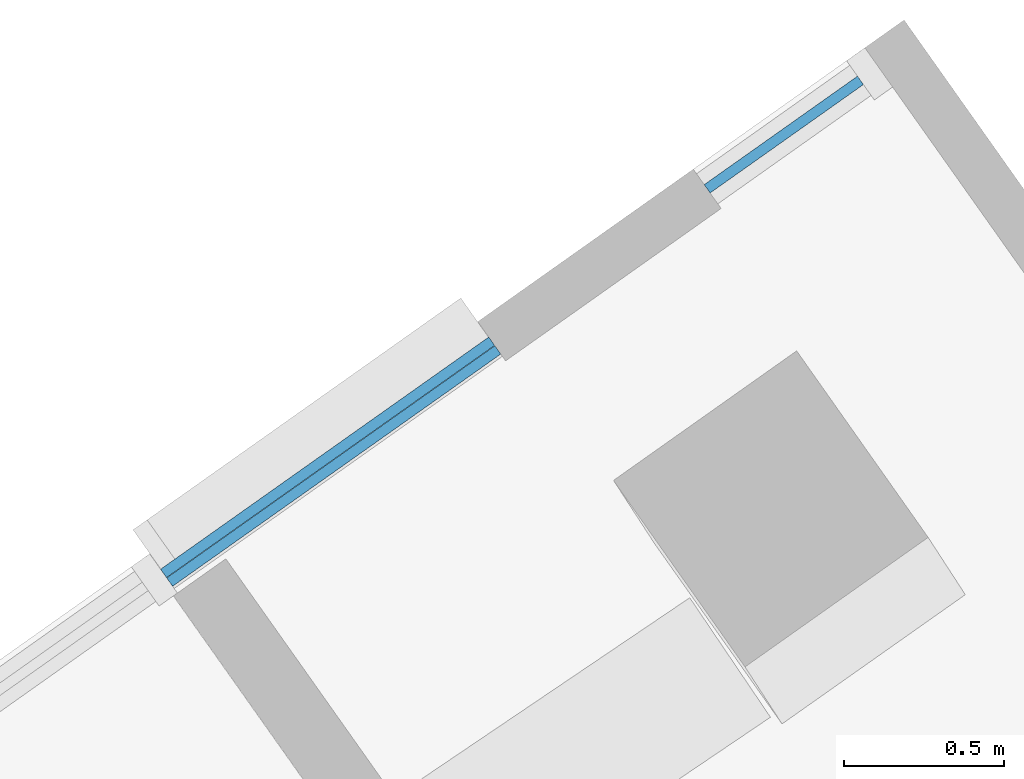
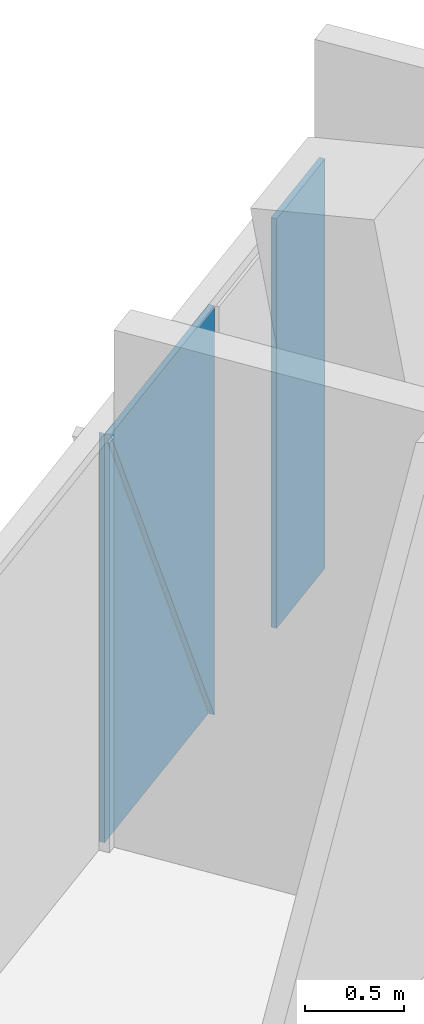
# One storey, part 16 of 25: 3 plates, 1 element without a shape of its own.
"""IFC4 building model written with IfcOpenShell, lengths in metres."""

import ifcopenshell
import ifcopenshell.guid

model = None  # the IFC model being written
_history = None  # IfcOwnerHistory: only IFC2X3 demands one
_inside = {}  # id of a spatial element -> (the spatial element, [elements in it])
_under = {}  # id of a project, library or spatial element -> (it, [spatial elements below it])
_declared = {}  # id of a project -> (the project, [libraries it declares])
_typed = {}  # id of a type object -> (the type object, [elements of that type])
_made_of = {}  # id of a material, layer set ... -> (it, [elements and type objects made of it])


def new_model(schema):
    """Start an empty IFC model of exactly this schema.

    Asked for "IFC4X3", IfcOpenShell would pick the latest addendum, in which some entities
    have other attributes; the version numbers below select the first issue.
    IFC2X3 requires an IfcOwnerHistory on every rooted entity: one is made here for all.
    """
    global model, _history
    if schema == "IFC4X3":
        model = ifcopenshell.file(schema_version=(4, 3, 0, 0))
    else:
        model = ifcopenshell.file(schema=schema)
    _inside.clear()
    _under.clear()
    _declared.clear()
    _typed.clear()
    _made_of.clear()
    _history = None
    if model.schema == "IFC2X3":
        org = make("IfcOrganization", Name="unknown")
        user = make(
            "IfcPersonAndOrganization",
            ThePerson=make("IfcPerson", FamilyName="unknown"),
            TheOrganization=org,
        )
        app = make(
            "IfcApplication",
            ApplicationDeveloper=org,
            Version="unknown",
            ApplicationFullName="unknown",
            ApplicationIdentifier="unknown",
        )
        _history = make(
            "IfcOwnerHistory",
            OwningUser=user,
            OwningApplication=app,
            ChangeAction="ADDED",
            CreationDate=0,
        )
    return model


def make(cls, **values):
    """One entity of the class cls with the attributes given. An attribute that is None is left unset."""
    return model.create_entity(
        cls, **{name: value for name, value in values.items() if value is not None}
    )


def rooted(cls, **values):
    """An entity with a GlobalId (a new one), such as an element, a storey or a relation."""
    return make(cls, GlobalId=ifcopenshell.guid.new(), OwnerHistory=_history, **values)


def si_unit(unit_type, name, prefix=None):
    """IfcSIUnit, for example si_unit("LENGTHUNIT", "METRE", prefix="MILLI")."""
    return make("IfcSIUnit", UnitType=unit_type, Prefix=prefix, Name=name)


def assignment(units):
    """IfcUnitAssignment: the units of a project."""
    return None if units is None else make("IfcUnitAssignment", Units=units)


def point(xyz):
    """IfcCartesianPoint."""
    return None if xyz is None else make("IfcCartesianPoint", Coordinates=xyz)


def direction(xyz):
    """IfcDirection."""
    return None if xyz is None else make("IfcDirection", DirectionRatios=xyz)


def frame(location, z_axis=None, x_axis=None):
    """IfcAxis2Placement3D, a coordinate frame: its origin and axes. An axis left out is left unset."""
    return make(
        "IfcAxis2Placement3D",
        Location=point(location),
        Axis=direction(z_axis),
        RefDirection=direction(x_axis),
    )


def frame_2d(location, x_axis=None):
    """IfcAxis2Placement2D, a coordinate frame in the plane: its origin and x axis."""
    return make(
        "IfcAxis2Placement2D", Location=point(location), RefDirection=direction(x_axis)
    )


def origin():
    """The frame at (0, 0, 0) with its axes left unset."""
    return frame((0.0, 0.0, 0.0))


def origin_2d():
    """The frame at (0, 0) in the plane with its x axis left unset."""
    return frame_2d((0.0, 0.0))


def place(relative_to, where):
    """IfcLocalPlacement: puts the frame where relative to a parent placement (None: the world)."""
    return make(
        "IfcLocalPlacement", PlacementRelTo=relative_to, RelativePlacement=where
    )


def context(
    kind, dimensions, precision=None, world=None, true_north=None, identifier=None
):
    """IfcGeometricRepresentationContext, for example the 3D "Model" context."""
    return make(
        "IfcGeometricRepresentationContext",
        ContextIdentifier=identifier,
        ContextType=kind,
        CoordinateSpaceDimension=dimensions,
        Precision=precision,
        WorldCoordinateSystem=world,
        TrueNorth=true_north,
    )


def subcontext(parent, identifier, kind, view, scale=None):
    """IfcGeometricRepresentationSubContext, for example "Body" below "Model"."""
    return make(
        "IfcGeometricRepresentationSubContext",
        ContextIdentifier=identifier,
        ContextType=kind,
        ParentContext=parent,
        TargetScale=scale,
        TargetView=view,
    )


def project(units=None, contexts=None):
    """IfcProject with its units and contexts."""
    return rooted(
        "IfcProject",
        Name="project",
        RepresentationContexts=contexts,
        UnitsInContext=assignment(units),
    )


def spatial(cls, under=None, at=None, **own):
    """A site, building, storey or space (cls), placed at a placement, below another one or the project."""
    s = rooted(cls, ObjectPlacement=at, **own)
    if under is not None:
        _under.setdefault(under.id(), (under, []))[1].append(s)
    return s


def polyline(points):
    """IfcPolyline through the points."""
    return make("IfcPolyline", Points=[point(p) for p in points])


def profile(cls, at=None, kind="AREA", **sizes):
    """A parametric profile (cls). Its sizes go by their IFC names, for example OverallWidth=200.0."""
    return make(cls, ProfileType=kind, Position=at, **sizes)


def rectangle(**sizes):
    """IfcRectangleProfileDef."""
    return profile("IfcRectangleProfileDef", **sizes)


def outline(outer, holes=None, kind="AREA"):
    """IfcArbitraryClosedProfileDef: a profile drawn as a closed curve; with holes, ...WithVoids."""
    if holes is None:
        return make("IfcArbitraryClosedProfileDef", ProfileType=kind, OuterCurve=outer)
    return make(
        "IfcArbitraryProfileDefWithVoids",
        ProfileType=kind,
        OuterCurve=outer,
        InnerCurves=holes,
    )


def extrude(swept, where, along, depth):
    """IfcExtrudedAreaSolid: the profile swept, set in the frame where, extruded along a direction by depth."""
    return make(
        "IfcExtrudedAreaSolid",
        SweptArea=swept,
        Position=where,
        ExtrudedDirection=direction(along),
        Depth=depth,
    )


def shape(context_of_items, identifier, shape_type, items):
    """IfcShapeRepresentation: the items that make up one representation, for example the "Body"."""
    return make(
        "IfcShapeRepresentation",
        ContextOfItems=context_of_items,
        RepresentationIdentifier=identifier,
        RepresentationType=shape_type,
        Items=items,
    )


def material(Name=None, Category=None):
    """IfcMaterial."""
    return make("IfcMaterial", Name=Name, Category=Category)


def layer(
    of_material, thickness, ventilated=None, Name=None, Category=None, Priority=None
):
    """IfcMaterialLayer: one layer of a wall or slab, of a material (None: an air gap)."""
    return make(
        "IfcMaterialLayer",
        Material=of_material,
        LayerThickness=thickness,
        IsVentilated=ventilated,
        Name=Name,
        Category=Category,
        Priority=Priority,
    )


def layer_set(layers, Name=None):
    """IfcMaterialLayerSet."""
    return make("IfcMaterialLayerSet", MaterialLayers=layers, LayerSetName=Name)


def made_of(thing, what):
    """Note that an element or type object is made of a material, layer set ...; save() writes the relation."""
    if what is not None:
        _made_of.setdefault(what.id(), (what, []))[1].append(thing)
    return thing


def type_object(cls, material=None, **own):
    """A type object (cls), such as IfcWallType, which elements share."""
    return made_of(rooted(cls, **own), material)


def element(
    cls,
    number,
    at=None,
    inside=None,
    cuts=None,
    type_object=None,
    material=None,
    context=None,
    identifier="Body",
    shape_type=None,
    held_by="IfcProductDefinitionShape",
    body=None,
    shapes=None,
    **own,
):
    """One element of the class cls, such as IfcWall. Its Tag is "e" and its number.

    at: its placement. inside: the storey or other place that contains it. cuts: it is an
    opening in that element (IfcRelVoidsElement). A single representation is given by context,
    identifier, shape_type and body (its items); several are given by shapes. held_by: the class
    of the entity that holds the representations. save() writes the other relations.
    """
    e = rooted(cls, Tag="e%d" % number, ObjectPlacement=at, **own)
    if body is not None:
        shapes = [shape(context, identifier, shape_type, body)]
    if shapes is not None:
        e.Representation = make(held_by, Representations=shapes)
    if inside is not None:
        _inside.setdefault(inside.id(), (inside, []))[1].append(e)
    if cuts is not None:
        rooted(
            "IfcRelVoidsElement", RelatingBuildingElement=cuts, RelatedOpeningElement=e
        )
    if type_object is not None:
        _typed.setdefault(type_object.id(), (type_object, []))[1].append(e)
    return made_of(e, material)


def aggregate(whole, parts):
    """IfcRelAggregates: a whole, such as a stair, and the parts it consists of."""
    return rooted("IfcRelAggregates", RelatingObject=whole, RelatedObjects=parts)


def save(model, path):
    """Write the relations noted so far, then the file.

    IfcRelAggregates (storeys below a building ...), IfcRelContainedInSpatialStructure (elements
    in a storey), IfcRelDefinesByType, IfcRelAssociatesMaterial and IfcRelDeclares: one each for
    every whole, place, type object, material and project.
    """
    for whole, parts in _under.values():
        aggregate(whole, parts)
    for where, things in _inside.values():
        rooted(
            "IfcRelContainedInSpatialStructure",
            RelatedElements=things,
            RelatingStructure=where,
        )
    for kind, things in _typed.values():
        rooted("IfcRelDefinesByType", RelatedObjects=things, RelatingType=kind)
    for what, things in _made_of.values():
        rooted("IfcRelAssociatesMaterial", RelatedObjects=things, RelatingMaterial=what)
    for by, libraries in _declared.values():
        rooted("IfcRelDeclares", RelatingContext=by, RelatedDefinitions=libraries)
    model.write(path)


model = new_model("IFC4")

# Units and contexts
model_context = context("Model", 3, precision=1e-05, world=origin(), true_north=direction((0.0, 1.0)))
body_context = subcontext(model_context, "Body", "Model", "MODEL_VIEW")
ifc_project = project(units=[si_unit("LENGTHUNIT", "METRE"), si_unit("AREAUNIT", "SQUARE_METRE"), si_unit("VOLUMEUNIT", "CUBIC_METRE"), si_unit("PLANEANGLEUNIT", "RADIAN"), si_unit("MASSUNIT", "GRAM", prefix="KILO")], contexts=[model_context])

# Site, building, storey
site_placement = place(None, origin())
site = spatial("IfcSite", under=ifc_project, at=site_placement, CompositionType="ELEMENT")
building_placement = place(site_placement, origin())
building = spatial("IfcBuilding", under=site, at=building_placement, Name="Verdalira Terraces Hotel", CompositionType="ELEMENT")
storey_placement = place(building_placement, frame((0.0, 0.0, 299.5)))
storey = spatial("IfcBuildingStorey", under=building, at=storey_placement, Name="L74", CompositionType="ELEMENT", Elevation=299.5)

# Curtain wall, plates
ifc_material_1 = material(Name="Clear glass", Category="glass")
ifc_layer_1 = layer(ifc_material_1, 0.14990234375)
ifc_layer_set_1 = layer_set([ifc_layer_1], Name="CW2 curtain wall")
curtain_wall_type = type_object("IfcCurtainWallType", Name="CW2 curtain wall", PredefinedType="NOTDEFINED", material=ifc_layer_set_1)
curtain_wall_placement = place(storey_placement, origin())
curtain_wall = element("IfcCurtainWall", 1, at=curtain_wall_placement, inside=storey, type_object=curtain_wall_type, Name="CW2 curtain wall L74 edge 38", PredefinedType="NOTDEFINED")
ifc_material_2 = material(Name="Clear glass", Category="glass")
ifc_layer_2 = layer(ifc_material_2, 0.031982421875)
ifc_layer_set_2 = layer_set([ifc_layer_2], Name="CW2 glass unit 32")
plate_type = type_object("IfcPlateType", Name="CW2 glass unit 32", PredefinedType="CURTAIN_PANEL", material=ifc_layer_set_2)
plate_1_placement = place(storey_placement, frame((28.673828, 28.157715, 0.0), z_axis=(0.0, 0.0, 1.0), x_axis=(-0.816339251, -0.577572703, 0.0)))
plate_1 = element("IfcPlate", 2, at=plate_1_placement, type_object=plate_type, Name="CW2 glass unit", PredefinedType="CURTAIN_PANEL", context=body_context, shape_type="SweptSolid", body=[
    extrude(rectangle(XDim=0.586182, YDim=0.031982, at=origin_2d()), origin(), (0.0, 0.0, 1.0), 2.524902),
])
plate_2_placement = place(storey_placement, frame((27.259033, 27.137207, 1.262451), z_axis=(-0.577572703, 0.816339251, 0.0), x_axis=(-0.816339251, -0.577572703, 0.0)))
plate_2 = element("IfcPlate", 3, at=plate_2_placement, type_object=plate_type, Name="CW2 glass unit", PredefinedType="CURTAIN_PANEL", context=body_context, shape_type="SweptSolid", body=[
    extrude(outline(polyline([(-0.627441, -1.262451), (0.627441, -1.262451), (0.627441, 1.262451), (-0.627441, -1.262451)])), origin(), (0.0, 0.0, 1.0), 0.031982),
])
plate_3_placement = place(storey_placement, frame((27.278076, 27.110107, 1.262451), z_axis=(-0.577572703, 0.816339251, 0.0), x_axis=(-0.816339251, -0.577572703, 0.0)))
plate_3 = element("IfcPlate", 4, at=plate_3_placement, type_object=plate_type, Name="CW2 glass unit", PredefinedType="CURTAIN_PANEL", context=body_context, shape_type="SweptSolid", body=[
    extrude(outline(polyline([(-0.627441, -1.262451), (0.627441, 1.262451), (-0.627441, 1.262451), (-0.627441, -1.262451)])), origin(), (0.0, 0.0, 1.0), 0.031982),
])
aggregate(curtain_wall, [plate_1, plate_2, plate_3])

save(model, "model.ifc")
